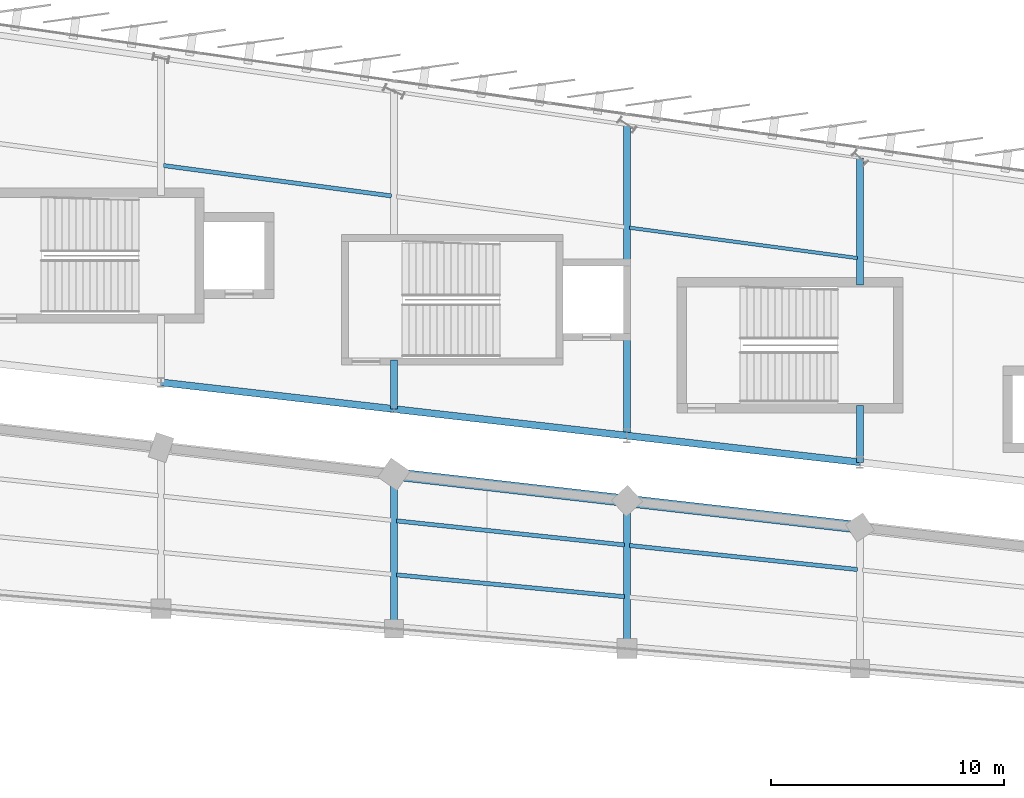
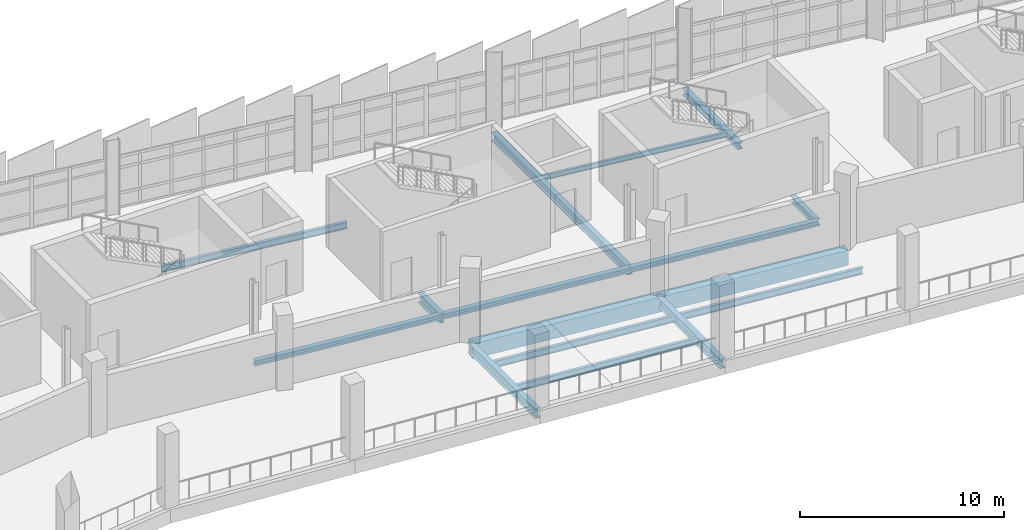
# One storey, part 59 of 125: 16 beams.
"""IFC4 building model written with IfcOpenShell, lengths in metres."""

from ifc_helpers import new_model, si_unit, direction, frame, origin, origin_2d, place, context, subcontext, project, spatial, rectangle, i_section, extrude, material, material_profile, profile_set, type_object, element, save


model = new_model("IFC4")

# Units and contexts
model_context = context("Model", 3, precision=1e-05, world=origin(), true_north=direction((0.0, 1.0)))
body_context = subcontext(model_context, "Body", "Model", "MODEL_VIEW")
ifc_project = project(units=[si_unit("LENGTHUNIT", "METRE"), si_unit("AREAUNIT", "SQUARE_METRE"), si_unit("VOLUMEUNIT", "CUBIC_METRE"), si_unit("PLANEANGLEUNIT", "RADIAN"), si_unit("MASSUNIT", "GRAM", prefix="KILO")], contexts=[model_context])

# Site, building, storey
site_placement = place(None, origin())
site = spatial("IfcSite", under=ifc_project, at=site_placement, CompositionType="ELEMENT")
building_placement = place(site_placement, origin())
building = spatial("IfcBuilding", under=site, at=building_placement, Name="Sohan Crest Arena", CompositionType="ELEMENT")
storey_placement = place(building_placement, frame((0.0, 0.0, 9.0)))
storey = spatial("IfcBuildingStorey", under=building, at=storey_placement, Name="L02", CompositionType="ELEMENT", Elevation=9.0)

# Beams
ifc_material_1 = material(Name="Steel S355", Category="steel")
ifc_material_profile_1 = material_profile(ifc_material_1, i_section(OverallWidth=0.14990234375, OverallDepth=0.300048828125, WebThickness=0.007080078125, FlangeThickness=0.0107421875, at=origin_2d()), Name="IPE 300")
ifc_profile_set_1 = profile_set([ifc_material_profile_1], Name="Steel S355")
beam_type_1 = type_object("IfcBeamType", Name="STR-BM-B01", PredefinedType="JOIST", material=ifc_profile_set_1)
beam_1_placement = place(storey_placement, frame((137.89111328125, 115.991943359375, -0.39990234375), z_axis=(-0.991232437337, 0.132129690721, 0.0), x_axis=(-0.132129690721, -0.991232437337, 0.0)))
element("IfcBeam", 1, at=beam_1_placement, inside=storey, type_object=beam_type_1, Name="Structural beam J-L02-1384", PredefinedType="JOIST", context=body_context, shape_type="SweptSolid", body=[
    extrude(i_section(OverallWidth=0.14990234375, OverallDepth=0.300048828125, WebThickness=0.007080078125, FlangeThickness=0.0107421875, at=origin_2d()), origin(), (0.0, 0.0, 1.0), 9.86865234375),
])
ifc_material_profile_2 = material_profile(ifc_material_1, i_section(OverallWidth=0.179931640625, OverallDepth=0.39990234375, WebThickness=0.008544921875, FlangeThickness=0.013427734375, at=origin_2d()), Name="IPE 400")
ifc_profile_set_2 = profile_set([ifc_material_profile_2], Name="Steel S355")
beam_type_2 = type_object("IfcBeamType", Name="STR-BM-B03", PredefinedType="JOIST", material=ifc_profile_set_2)
beam_2_placement = place(storey_placement, frame((137.89111328125, 102.6240234375, -0.449951171875), z_axis=(-0.994481354784, 0.104913464278, 0.0), x_axis=(-0.104913464278, -0.994481354784, 0.0)))
element("IfcBeam", 2, at=beam_2_placement, inside=storey, type_object=beam_type_2, Name="Structural beam J-L02-0739", PredefinedType="JOIST", context=body_context, shape_type="SweptSolid", body=[
    extrude(i_section(OverallWidth=0.179931640625, OverallDepth=0.39990234375, WebThickness=0.008544921875, FlangeThickness=0.013427734375, at=origin_2d()), origin(), (0.0, 0.0, 1.0), 9.83642578125),
])
beam_3_placement = place(storey_placement, frame((127.89111328125, 101.458984375, -0.449951171875), z_axis=(-0.995443739336, 0.095350730547, 0.0), x_axis=(-0.095350730547, -0.995443739336, 0.0)))
element("IfcBeam", 3, at=beam_3_placement, inside=storey, type_object=beam_type_2, Name="Structural beam J-L02-0760", PredefinedType="JOIST", context=body_context, shape_type="SweptSolid", body=[
    extrude(i_section(OverallWidth=0.179931640625, OverallDepth=0.39990234375, WebThickness=0.008544921875, FlangeThickness=0.013427734375, at=origin_2d()), origin(), (0.0, 0.0, 1.0), 9.826904296875),
])
beam_4_placement = place(storey_placement, frame((127.89111328125, 103.679931640625, -0.449951171875), z_axis=(-0.994458024707, 0.105134376377, 0.0), x_axis=(-0.105134376377, -0.994458024707, 0.0)))
element("IfcBeam", 4, at=beam_4_placement, inside=storey, type_object=beam_type_2, Name="Structural beam J-L02-0761", PredefinedType="JOIST", context=body_context, shape_type="SweptSolid", body=[
    extrude(i_section(OverallWidth=0.179931640625, OverallDepth=0.39990234375, WebThickness=0.008544921875, FlangeThickness=0.013427734375, at=origin_2d()), origin(), (0.0, 0.0, 1.0), 9.836669921875),
])
beam_5_placement = place(storey_placement, frame((117.89111328125, 118.659912109375, -0.449951171875), z_axis=(-0.991229196985, 0.132153997462, 0.0), x_axis=(-0.132153997462, -0.991229196985, 0.0)))
element("IfcBeam", 5, at=beam_5_placement, inside=storey, type_object=beam_type_2, Name="Structural beam J-L02-1393", PredefinedType="JOIST", context=body_context, shape_type="SweptSolid", body=[
    extrude(i_section(OverallWidth=0.179931640625, OverallDepth=0.39990234375, WebThickness=0.008544921875, FlangeThickness=0.013427734375, at=origin_2d()), origin(), (0.0, 0.0, 1.0), 9.868896484375),
])
ifc_material_profile_3 = material_profile(ifc_material_1, i_section(OverallWidth=0.300048828125, OverallDepth=0.590087890625, WebThickness=0.012939453125, FlangeThickness=0.02490234375, at=origin_2d()), Name="HEA 600")
ifc_profile_set_3 = profile_set([ifc_material_profile_3], Name="Steel S355")
beam_type_3 = type_object("IfcBeamType", Name="STR-BM-B11", PredefinedType="BEAM", material=ifc_profile_set_3)
beam_6_placement = place(storey_placement, frame((128.0, 99.22900390625, -0.544921875), z_axis=(0.0, 1.0, 0.0), x_axis=(-1.0, 0.0, 0.0)))
element("IfcBeam", 6, at=beam_6_placement, inside=storey, type_object=beam_type_3, Name="Structural beam G-L02-0759", PredefinedType="BEAM", context=body_context, shape_type="SweptSolid", body=[
    extrude(i_section(OverallWidth=0.300048828125, OverallDepth=0.590087890625, WebThickness=0.012939453125, FlangeThickness=0.02490234375, at=origin_2d()), origin(), (0.0, 0.0, 1.0), 6.342041015625),
])
beam_7_placement = place(storey_placement, frame((118.0, 100.0859375, -0.544921875), z_axis=(0.0, 1.0, 0.0), x_axis=(-1.0, 0.0, 0.0)))
element("IfcBeam", 7, at=beam_7_placement, inside=storey, type_object=beam_type_3, Name="Structural beam G-L02-0781", PredefinedType="BEAM", context=body_context, shape_type="SweptSolid", body=[
    extrude(i_section(OverallWidth=0.300048828125, OverallDepth=0.590087890625, WebThickness=0.012939453125, FlangeThickness=0.02490234375, at=origin_2d()), origin(), (0.0, 0.0, 1.0), 6.628173828125),
])
beam_8_placement = place(storey_placement, frame((118.0, 109.513916015625, -0.544921875), z_axis=(0.0, 1.0, 0.0), x_axis=(-1.0, 0.0, 0.0)))
element("IfcBeam", 8, at=beam_8_placement, inside=storey, type_object=beam_type_3, Name="Structural beam G-L02-1389", PredefinedType="BEAM", context=body_context, shape_type="SweptSolid", body=[
    extrude(i_section(OverallWidth=0.300048828125, OverallDepth=0.590087890625, WebThickness=0.012939453125, FlangeThickness=0.02490234375, at=origin_2d()), origin(), (0.0, 0.0, 1.0), 2.106201171875),
])
ifc_material_profile_4 = material_profile(ifc_material_1, i_section(OverallWidth=0.300048828125, OverallDepth=0.300048828125, WebThickness=0.010986328125, FlangeThickness=0.01904296875, at=origin_2d()), Name="HEB 300")
ifc_profile_set_4 = profile_set([ifc_material_profile_4], Name="Steel S355")
beam_type_4 = type_object("IfcBeamType", Name="STR-BM-B12", PredefinedType="BEAM", material=ifc_profile_set_4)
beam_9_placement = place(storey_placement, frame((138.0, 107.22900390625, -0.39990234375), z_axis=(-0.993541269973, 0.113471339378, 0.0), x_axis=(-0.113471339378, -0.993541269973, 0.0)))
element("IfcBeam", 9, at=beam_9_placement, inside=storey, type_object=beam_type_4, Name="Structural beam G-L02-1382", PredefinedType="BEAM", context=body_context, shape_type="SweptSolid", body=[
    extrude(i_section(OverallWidth=0.300048828125, OverallDepth=0.300048828125, WebThickness=0.010986328125, FlangeThickness=0.01904296875, at=origin_2d()), origin(), (0.0, 0.0, 1.0), 10.06494140625),
])
for number, where, z_axis, x_axis, name in (
    (10, (128.0, 108.37109375, -0.39990234375), (-0.993533063564, 0.113543170668, 0.0), (-0.113543170668, -0.993533063564, 0.0), "Structural beam G-L02-1386"),
    (11, (118.0, 109.513916015625, -0.39990234375), (-0.99353032697, 0.113567114035, 0.0), (-0.113567114035, -0.99353032697, 0.0), "Structural beam G-L02-1391"),
):
    element("IfcBeam", number, at=place(storey_placement, frame(where, z_axis=z_axis, x_axis=x_axis)), inside=storey, type_object=beam_type_4, Name=name, PredefinedType="BEAM", context=body_context, shape_type="SweptSolid", body=[
        extrude(i_section(OverallWidth=0.300048828125, OverallDepth=0.300048828125, WebThickness=0.010986328125, FlangeThickness=0.01904296875, at=origin_2d()), origin(), (0.0, 0.0, 1.0), 10.065185546875),
    ])
ifc_material_profile_5 = material_profile(ifc_material_1, i_section(OverallWidth=0.300048828125, OverallDepth=0.39990234375, WebThickness=0.013427734375, FlangeThickness=0.02392578125, at=origin_2d()), Name="HEB 400")
ifc_profile_set_5 = profile_set([ifc_material_profile_5], Name="Steel S355")
beam_type_5 = type_object("IfcBeamType", Name="STR-BM-B13", PredefinedType="BEAM", material=ifc_profile_set_5)
beam_10_placement = place(storey_placement, frame((138.0, 107.22900390625, -0.449951171875), z_axis=(0.0, 1.0, 0.0), x_axis=(-1.0, 0.0, 0.0)))
element("IfcBeam", 12, at=beam_10_placement, inside=storey, type_object=beam_type_5, Name="Structural beam G-L02-1380", PredefinedType="BEAM", context=body_context, shape_type="SweptSolid", body=[
    extrude(i_section(OverallWidth=0.300048828125, OverallDepth=0.39990234375, WebThickness=0.013427734375, FlangeThickness=0.02392578125, at=origin_2d()), origin(), (0.0, 0.0, 1.0), 2.44091796875),
])
beam_11_placement = place(storey_placement, frame((138.0, 114.830078125, -0.449951171875), z_axis=(0.0, 1.0, 0.0), x_axis=(-1.0, 0.0, 0.0)))
element("IfcBeam", 13, at=beam_11_placement, inside=storey, type_object=beam_type_5, Name="Structural beam G-L02-1381", PredefinedType="BEAM", context=body_context, shape_type="SweptSolid", body=[
    extrude(i_section(OverallWidth=0.300048828125, OverallDepth=0.39990234375, WebThickness=0.013427734375, FlangeThickness=0.02392578125, at=origin_2d()), origin(), (0.0, 0.0, 1.0), 5.455810546875),
])
ifc_material_profile_6 = material_profile(ifc_material_1, i_section(OverallWidth=0.300048828125, OverallDepth=0.5, WebThickness=0.014404296875, FlangeThickness=0.028076171875, at=origin_2d()), Name="HEB 500")
ifc_profile_set_6 = profile_set([ifc_material_profile_6], Name="Steel S355")
beam_type_6 = type_object("IfcBeamType", Name="STR-BM-B14", PredefinedType="BEAM", material=ifc_profile_set_6)
beam_12_placement = place(storey_placement, frame((128.0, 108.37109375, -0.5), z_axis=(0.0, 1.0, 0.0), x_axis=(-1.0, 0.0, 0.0)))
element("IfcBeam", 14, at=beam_12_placement, inside=storey, type_object=beam_type_6, Name="Structural beam G-L02-1385", PredefinedType="BEAM", context=body_context, shape_type="SweptSolid", body=[
    extrude(i_section(OverallWidth=0.300048828125, OverallDepth=0.5, WebThickness=0.014404296875, FlangeThickness=0.028076171875, at=origin_2d()), origin(), (0.0, 0.0, 1.0), 13.343017578125),
])
ifc_material_2 = material(Name="Concrete C40/50", Category="concrete")
ifc_material_profile_7 = material_profile(ifc_material_2, rectangle(XDim=0.5, YDim=0.89990234375, at=origin_2d()), Name="RC-BM 500x900")
ifc_profile_set_7 = profile_set([ifc_material_profile_7], Name="Concrete C40/50")
beam_type_7 = type_object("IfcBeamType", Name="STR-BM-TB03", PredefinedType="BEAM", material=ifc_profile_set_7)
beam_13_placement = place(storey_placement, frame((138.0, 104.428955078125, -0.699951171875), z_axis=(-0.993541269973, 0.113471339378, 0.0), x_axis=(-0.113471339378, -0.993541269973, 0.0)))
element("IfcBeam", 15, at=beam_13_placement, inside=storey, type_object=beam_type_7, Name="Structural beam TB-L02-0736", PredefinedType="BEAM", context=body_context, shape_type="SweptSolid", body=[
    extrude(rectangle(XDim=0.5, YDim=0.89990234375, at=origin_2d()), origin(), (0.0, 0.0, 1.0), 10.06494140625),
])
beam_14_placement = place(storey_placement, frame((128.0, 105.571044921875, -0.699951171875), z_axis=(-0.99353032697, 0.113567114035, 0.0), x_axis=(-0.113567114035, -0.99353032697, 0.0)))
element("IfcBeam", 16, at=beam_14_placement, inside=storey, type_object=beam_type_7, Name="Structural beam TB-L02-0758", PredefinedType="BEAM", context=body_context, shape_type="SweptSolid", body=[
    extrude(rectangle(XDim=0.5, YDim=0.89990234375, at=origin_2d()), origin(), (0.0, 0.0, 1.0), 10.065185546875),
])

save(model, "model.ifc")
